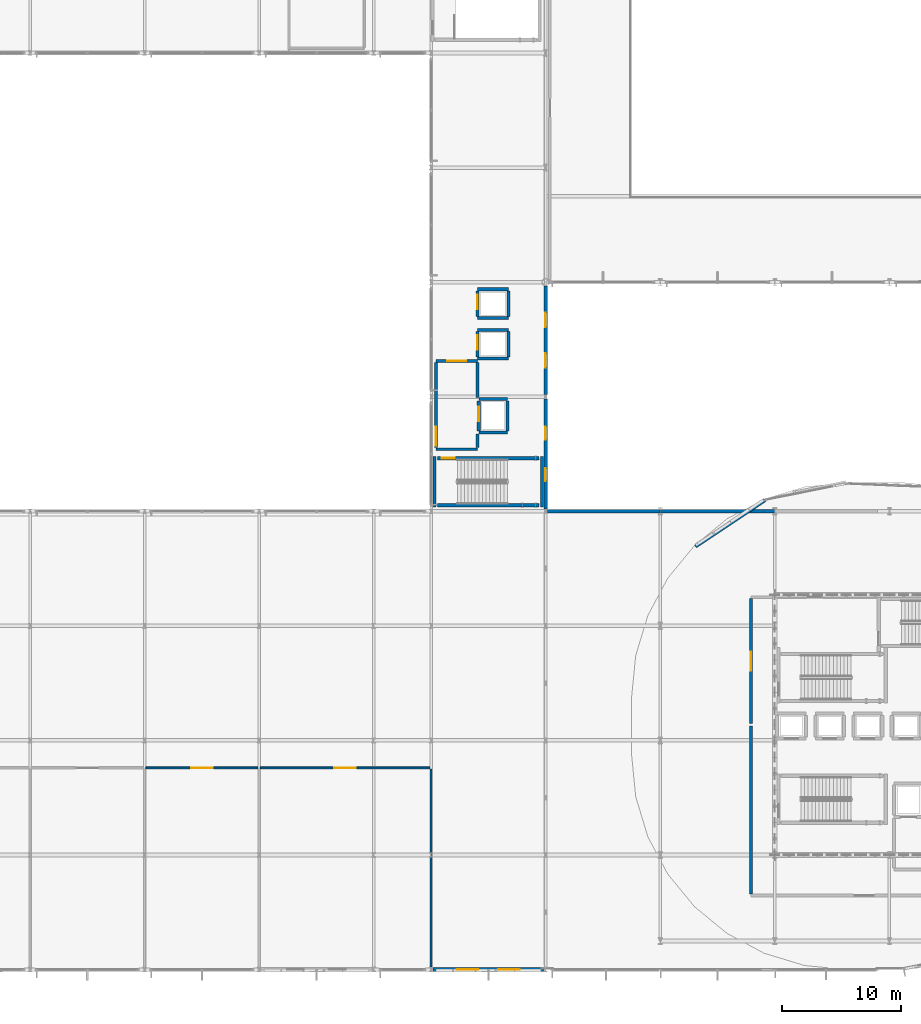
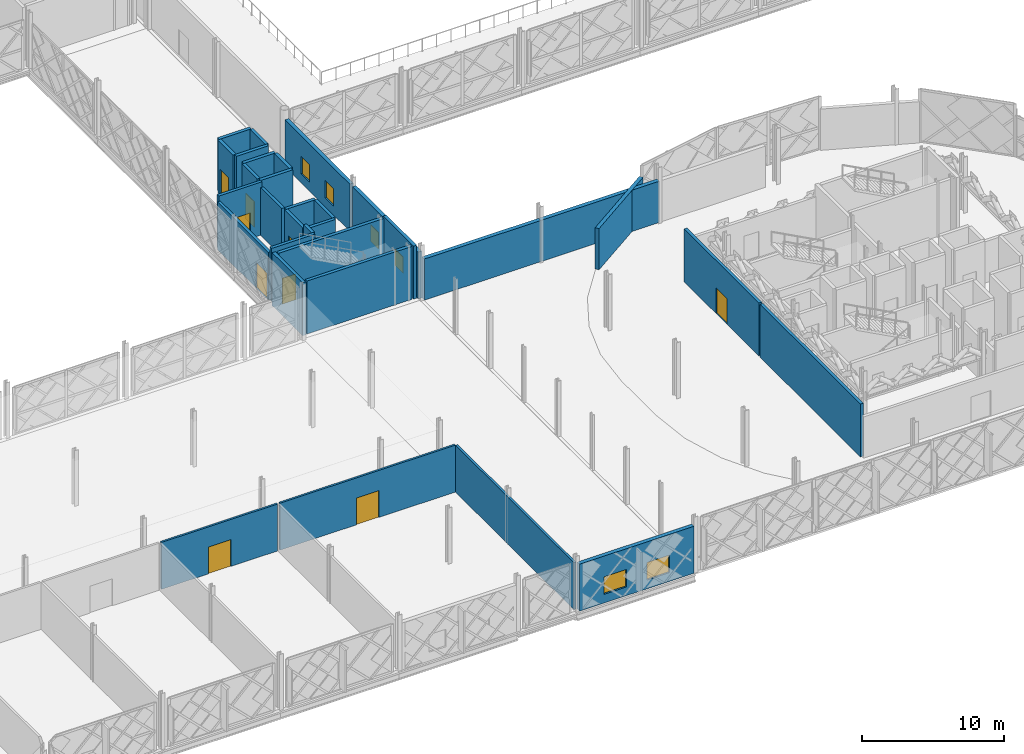
# One storey, part 49 of 77: 32 walls, 9 doors, 6 windows, 15 openings.
"""IFC4 building model written with IfcOpenShell, lengths in metres."""

import ifcopenshell
import ifcopenshell.guid

model = None  # the IFC model being written
_history = None  # IfcOwnerHistory: only IFC2X3 demands one
_inside = {}  # id of a spatial element -> (the spatial element, [elements in it])
_under = {}  # id of a project, library or spatial element -> (it, [spatial elements below it])
_declared = {}  # id of a project -> (the project, [libraries it declares])
_typed = {}  # id of a type object -> (the type object, [elements of that type])
_made_of = {}  # id of a material, layer set ... -> (it, [elements and type objects made of it])


def new_model(schema):
    """Start an empty IFC model of exactly this schema.

    Asked for "IFC4X3", IfcOpenShell would pick the latest addendum, in which some entities
    have other attributes; the version numbers below select the first issue.
    IFC2X3 requires an IfcOwnerHistory on every rooted entity: one is made here for all.
    """
    global model, _history
    if schema == "IFC4X3":
        model = ifcopenshell.file(schema_version=(4, 3, 0, 0))
    else:
        model = ifcopenshell.file(schema=schema)
    _inside.clear()
    _under.clear()
    _declared.clear()
    _typed.clear()
    _made_of.clear()
    _history = None
    if model.schema == "IFC2X3":
        org = make("IfcOrganization", Name="unknown")
        user = make(
            "IfcPersonAndOrganization",
            ThePerson=make("IfcPerson", FamilyName="unknown"),
            TheOrganization=org,
        )
        app = make(
            "IfcApplication",
            ApplicationDeveloper=org,
            Version="unknown",
            ApplicationFullName="unknown",
            ApplicationIdentifier="unknown",
        )
        _history = make(
            "IfcOwnerHistory",
            OwningUser=user,
            OwningApplication=app,
            ChangeAction="ADDED",
            CreationDate=0,
        )
    return model


def make(cls, **values):
    """One entity of the class cls with the attributes given. An attribute that is None is left unset."""
    return model.create_entity(
        cls, **{name: value for name, value in values.items() if value is not None}
    )


def rooted(cls, **values):
    """An entity with a GlobalId (a new one), such as an element, a storey or a relation."""
    return make(cls, GlobalId=ifcopenshell.guid.new(), OwnerHistory=_history, **values)


def si_unit(unit_type, name, prefix=None):
    """IfcSIUnit, for example si_unit("LENGTHUNIT", "METRE", prefix="MILLI")."""
    return make("IfcSIUnit", UnitType=unit_type, Prefix=prefix, Name=name)


def assignment(units):
    """IfcUnitAssignment: the units of a project."""
    return None if units is None else make("IfcUnitAssignment", Units=units)


def point(xyz):
    """IfcCartesianPoint."""
    return None if xyz is None else make("IfcCartesianPoint", Coordinates=xyz)


def direction(xyz):
    """IfcDirection."""
    return None if xyz is None else make("IfcDirection", DirectionRatios=xyz)


def frame(location, z_axis=None, x_axis=None):
    """IfcAxis2Placement3D, a coordinate frame: its origin and axes. An axis left out is left unset."""
    return make(
        "IfcAxis2Placement3D",
        Location=point(location),
        Axis=direction(z_axis),
        RefDirection=direction(x_axis),
    )


def frame_2d(location, x_axis=None):
    """IfcAxis2Placement2D, a coordinate frame in the plane: its origin and x axis."""
    return make(
        "IfcAxis2Placement2D", Location=point(location), RefDirection=direction(x_axis)
    )


def origin():
    """The frame at (0, 0, 0) with its axes left unset."""
    return frame((0.0, 0.0, 0.0))


def place(relative_to, where):
    """IfcLocalPlacement: puts the frame where relative to a parent placement (None: the world)."""
    return make(
        "IfcLocalPlacement", PlacementRelTo=relative_to, RelativePlacement=where
    )


def context(
    kind, dimensions, precision=None, world=None, true_north=None, identifier=None
):
    """IfcGeometricRepresentationContext, for example the 3D "Model" context."""
    return make(
        "IfcGeometricRepresentationContext",
        ContextIdentifier=identifier,
        ContextType=kind,
        CoordinateSpaceDimension=dimensions,
        Precision=precision,
        WorldCoordinateSystem=world,
        TrueNorth=true_north,
    )


def subcontext(parent, identifier, kind, view, scale=None):
    """IfcGeometricRepresentationSubContext, for example "Body" below "Model"."""
    return make(
        "IfcGeometricRepresentationSubContext",
        ContextIdentifier=identifier,
        ContextType=kind,
        ParentContext=parent,
        TargetScale=scale,
        TargetView=view,
    )


def project(units=None, contexts=None):
    """IfcProject with its units and contexts."""
    return rooted(
        "IfcProject",
        Name="project",
        RepresentationContexts=contexts,
        UnitsInContext=assignment(units),
    )


def spatial(cls, under=None, at=None, **own):
    """A site, building, storey or space (cls), placed at a placement, below another one or the project."""
    s = rooted(cls, ObjectPlacement=at, **own)
    if under is not None:
        _under.setdefault(under.id(), (under, []))[1].append(s)
    return s


def profile(cls, at=None, kind="AREA", **sizes):
    """A parametric profile (cls). Its sizes go by their IFC names, for example OverallWidth=200.0."""
    return make(cls, ProfileType=kind, Position=at, **sizes)


def rectangle(**sizes):
    """IfcRectangleProfileDef."""
    return profile("IfcRectangleProfileDef", **sizes)


def extrude(swept, where, along, depth):
    """IfcExtrudedAreaSolid: the profile swept, set in the frame where, extruded along a direction by depth."""
    return make(
        "IfcExtrudedAreaSolid",
        SweptArea=swept,
        Position=where,
        ExtrudedDirection=direction(along),
        Depth=depth,
    )


def shape(context_of_items, identifier, shape_type, items):
    """IfcShapeRepresentation: the items that make up one representation, for example the "Body"."""
    return make(
        "IfcShapeRepresentation",
        ContextOfItems=context_of_items,
        RepresentationIdentifier=identifier,
        RepresentationType=shape_type,
        Items=items,
    )


def material(Name=None, Category=None):
    """IfcMaterial."""
    return make("IfcMaterial", Name=Name, Category=Category)


def layer(
    of_material, thickness, ventilated=None, Name=None, Category=None, Priority=None
):
    """IfcMaterialLayer: one layer of a wall or slab, of a material (None: an air gap)."""
    return make(
        "IfcMaterialLayer",
        Material=of_material,
        LayerThickness=thickness,
        IsVentilated=ventilated,
        Name=Name,
        Category=Category,
        Priority=Priority,
    )


def layer_set(layers, Name=None):
    """IfcMaterialLayerSet."""
    return make("IfcMaterialLayerSet", MaterialLayers=layers, LayerSetName=Name)


def made_of(thing, what):
    """Note that an element or type object is made of a material, layer set ...; save() writes the relation."""
    if what is not None:
        _made_of.setdefault(what.id(), (what, []))[1].append(thing)
    return thing


def type_object(cls, material=None, **own):
    """A type object (cls), such as IfcWallType, which elements share."""
    return made_of(rooted(cls, **own), material)


def element(
    cls,
    number,
    at=None,
    inside=None,
    cuts=None,
    type_object=None,
    material=None,
    context=None,
    identifier="Body",
    shape_type=None,
    held_by="IfcProductDefinitionShape",
    body=None,
    shapes=None,
    **own,
):
    """One element of the class cls, such as IfcWall. Its Tag is "e" and its number.

    at: its placement. inside: the storey or other place that contains it. cuts: it is an
    opening in that element (IfcRelVoidsElement). A single representation is given by context,
    identifier, shape_type and body (its items); several are given by shapes. held_by: the class
    of the entity that holds the representations. save() writes the other relations.
    """
    e = rooted(cls, Tag="e%d" % number, ObjectPlacement=at, **own)
    if body is not None:
        shapes = [shape(context, identifier, shape_type, body)]
    if shapes is not None:
        e.Representation = make(held_by, Representations=shapes)
    if inside is not None:
        _inside.setdefault(inside.id(), (inside, []))[1].append(e)
    if cuts is not None:
        rooted(
            "IfcRelVoidsElement", RelatingBuildingElement=cuts, RelatedOpeningElement=e
        )
    if type_object is not None:
        _typed.setdefault(type_object.id(), (type_object, []))[1].append(e)
    return made_of(e, material)


def fill(opening, filler):
    """IfcRelFillsElement: the door or window that sits in an opening."""
    return rooted(
        "IfcRelFillsElement",
        RelatingOpeningElement=opening,
        RelatedBuildingElement=filler,
    )


def aggregate(whole, parts):
    """IfcRelAggregates: a whole, such as a stair, and the parts it consists of."""
    return rooted("IfcRelAggregates", RelatingObject=whole, RelatedObjects=parts)


def save(model, path):
    """Write the relations noted so far, then the file.

    IfcRelAggregates (storeys below a building ...), IfcRelContainedInSpatialStructure (elements
    in a storey), IfcRelDefinesByType, IfcRelAssociatesMaterial and IfcRelDeclares: one each for
    every whole, place, type object, material and project.
    """
    for whole, parts in _under.values():
        aggregate(whole, parts)
    for where, things in _inside.values():
        rooted(
            "IfcRelContainedInSpatialStructure",
            RelatedElements=things,
            RelatingStructure=where,
        )
    for kind, things in _typed.values():
        rooted("IfcRelDefinesByType", RelatedObjects=things, RelatingType=kind)
    for what, things in _made_of.values():
        rooted("IfcRelAssociatesMaterial", RelatedObjects=things, RelatingMaterial=what)
    for by, libraries in _declared.values():
        rooted("IfcRelDeclares", RelatingContext=by, RelatedDefinitions=libraries)
    model.write(path)


model = new_model("IFC4")

# Units and contexts
model_context = context("Model", 3, precision=1e-05, world=origin(), true_north=direction((0.0, 1.0)))
body_context = subcontext(model_context, "Body", "Model", "MODEL_VIEW")
ifc_project = project(units=[si_unit("LENGTHUNIT", "METRE"), si_unit("AREAUNIT", "SQUARE_METRE"), si_unit("VOLUMEUNIT", "CUBIC_METRE"), si_unit("PLANEANGLEUNIT", "RADIAN"), si_unit("MASSUNIT", "GRAM", prefix="KILO")], contexts=[model_context])

# Site, building, storey
site_placement = place(None, origin())
site = spatial("IfcSite", under=ifc_project, at=site_placement, CompositionType="ELEMENT")
building_placement = place(site_placement, origin())
building = spatial("IfcBuilding", under=site, at=building_placement, Name="Zevrakil Square Congress Hotel", CompositionType="ELEMENT")
storey_placement = place(building_placement, frame((0.0, 0.0, 9.89990234375)))
storey = spatial("IfcBuildingStorey", under=building, at=storey_placement, Name="L03", CompositionType="ELEMENT", Elevation=9.89990234375)

# Wall
ifc_material_1 = material(Name="Concrete C35/45", Category="concrete")
ifc_layer_1 = layer(ifc_material_1, 0.239990234375)
ifc_layer_set_1 = layer_set([ifc_layer_1], Name="Concrete C35/45")
wall_type_1 = type_object("IfcWallType", Name="WAL-COMP-240", PredefinedType="SOLIDWALL", material=ifc_layer_set_1)
wall_1_placement = place(storey_placement, frame((134.800048828125, 13.52490234375, 0.0), z_axis=(0.0, 0.0, 1.0), x_axis=(0.0, 1.0, 0.0)))
element("IfcWall", 1, at=wall_1_placement, inside=storey, type_object=wall_type_1, Name="L03 interior partition PW-L03-0069", PredefinedType="SOLIDWALL", context=body_context, shape_type="SweptSolid", body=[
    extrude(rectangle(XDim=14.0751953125, YDim=0.239990234375, at=frame_2d((7.03759765625, 0.0))), origin(), (0.0, 0.0, 1.0), 4.5400390625),
])

# Wall, opening, door
wall_2_placement = place(storey_placement, frame((134.800048828125, 27.800048828125, 0.0), z_axis=(0.0, 0.0, 1.0), x_axis=(0.0, 1.0, 0.0)))
wall_2 = element("IfcWall", 2, at=wall_2_placement, inside=storey, type_object=wall_type_1, Name="L03 interior partition PW-L03-0070", PredefinedType="SOLIDWALL", context=body_context, shape_type="SweptSolid", body=[
    extrude(rectangle(XDim=10.474853515625, YDim=0.239990234375, at=frame_2d((5.2373046875, 0.0))), origin(), (0.0, 0.0, 1.0), 4.5400390625),
])
opening_1_placement = place(wall_2_placement, frame((4.4375, 0.0, 0.0)))
opening_1 = element("IfcOpeningElement", 3, at=opening_1_placement, cuts=wall_2, Name="Opening FD90-D", PredefinedType="OPENING", context=body_context, shape_type="SweptSolid", body=[
    extrude(rectangle(XDim=1.60009765625, YDim=2.199951171875, at=frame_2d((0.800048828125, 1.10009765625))), frame((0.0, 0.1298828125, 0.0), z_axis=(0.0, -1.0, 0.0), x_axis=(1.0, 0.0, 0.0)), (0.0, 0.0, 1.0), 0.260009765625),
])
ifc_material_2 = material(Name="Steel S355 Double Fire Door", Category="steel")
door_type_1 = type_object("IfcDoorType", Name="DOR-FFLOB-FD90-160", OperationType="NOTDEFINED", PredefinedType="DOOR", material=ifc_material_2)
door_1_placement = place(opening_1_placement, origin())
door_1 = element("IfcDoor", 4, at=door_1_placement, inside=storey, type_object=door_type_1, Name="L03 interior door 24", OperationType="DOUBLE_DOOR_SINGLE_SWING", OverallHeight=2.199951171875, OverallWidth=1.60009765625, PredefinedType="DOOR", context=body_context, shape_type="SweptSolid", body=[
    extrude(rectangle(XDim=1.60009765625, YDim=2.199951171875, at=frame_2d((0.800048828125, 1.10009765625))), frame((0.0, 0.02490234375, 0.0), z_axis=(0.0, -1.0, 0.0), x_axis=(1.0, 0.0, 0.0)), (0.0, 0.0, 1.0), 0.050048828125),
])
fill(opening_1, door_1)

# Wall
wall_3_placement = place(storey_placement, frame((108.39990234375, 50.800048828125, 0.0), z_axis=(0.0, 0.0, 1.0), x_axis=(1.0, 0.0, 0.0)))
element("IfcWall", 5, at=wall_3_placement, inside=storey, type_object=wall_type_1, Name="L03 interior partition PW-L03-0074", PredefinedType="SOLIDWALL", context=body_context, shape_type="SweptSolid", body=[
    extrude(rectangle(XDim=3.5, YDim=0.239990234375, at=frame_2d((1.75, 0.0))), origin(), (0.0, 0.0, 1.0), 4.5400390625),
])

# Wall, opening, door
wall_4_placement = place(storey_placement, frame((108.39990234375, 50.925048828125, 0.0), z_axis=(0.0, 0.0, 1.0), x_axis=(0.0, 1.0, 0.0)))
wall_4 = element("IfcWall", 6, at=wall_4_placement, inside=storey, type_object=wall_type_1, Name="L03 interior partition PW-L03-0075", PredefinedType="SOLIDWALL", context=body_context, shape_type="SweptSolid", body=[
    extrude(rectangle(XDim=7.14990234375, YDim=0.239990234375, at=frame_2d((3.574951171875, 0.0))), origin(), (0.0, 0.0, 1.0), 4.085205078125),
])
opening_2_placement = place(wall_4_placement, frame((0.159912109375, 0.0, 0.0)))
opening_2 = element("IfcOpeningElement", 7, at=opening_2_placement, cuts=wall_4, Name="Opening FD90-D", PredefinedType="OPENING", context=body_context, shape_type="SweptSolid", body=[
    extrude(rectangle(XDim=1.60009765625, YDim=2.199951171875, at=frame_2d((0.800048828125, 1.10009765625))), frame((0.0, 0.1298828125, 0.0), z_axis=(0.0, -1.0, 0.0), x_axis=(1.0, 0.0, 0.0)), (0.0, 0.0, 1.0), 0.260009765625),
])
door_2_placement = place(opening_2_placement, origin())
door_2 = element("IfcDoor", 8, at=door_2_placement, inside=storey, type_object=door_type_1, Name="L03 interior door 27", OperationType="DOUBLE_DOOR_SINGLE_SWING", OverallHeight=2.199951171875, OverallWidth=1.60009765625, PredefinedType="DOOR", context=body_context, shape_type="SweptSolid", body=[
    extrude(rectangle(XDim=1.60009765625, YDim=2.199951171875, at=frame_2d((0.800048828125, 1.10009765625))), frame((0.0, 0.02490234375, 0.0), z_axis=(0.0, -1.0, 0.0), x_axis=(1.0, 0.0, 0.0)), (0.0, 0.0, 1.0), 0.050048828125),
])
fill(opening_2, door_2)

wall_5_placement = place(storey_placement, frame((108.39990234375, 58.199951171875, 0.0), z_axis=(0.0, 0.0, 1.0), x_axis=(1.0, 0.0, 0.0)))
wall_5 = element("IfcWall", 9, at=wall_5_placement, inside=storey, type_object=wall_type_1, Name="L03 interior partition PW-L03-0076", PredefinedType="SOLIDWALL", context=body_context, shape_type="SweptSolid", body=[
    extrude(rectangle(XDim=3.5, YDim=0.239990234375, at=frame_2d((1.75, 0.0))), origin(), (0.0, 0.0, 1.0), 4.5400390625),
])
opening_3_placement = place(wall_5_placement, frame((0.949951171875, 0.0, 0.0)))
opening_3 = element("IfcOpeningElement", 10, at=opening_3_placement, cuts=wall_5, Name="Opening FD90-D", PredefinedType="OPENING", context=body_context, shape_type="SweptSolid", body=[
    extrude(rectangle(XDim=1.60009765625, YDim=2.199951171875, at=frame_2d((0.800048828125, 1.10009765625))), frame((0.0, 0.1298828125, 0.0), z_axis=(0.0, -1.0, 0.0), x_axis=(1.0, 0.0, 0.0)), (0.0, 0.0, 1.0), 0.260009765625),
])
door_3_placement = place(opening_3_placement, origin())
door_3 = element("IfcDoor", 11, at=door_3_placement, inside=storey, type_object=door_type_1, Name="L03 interior door 28", OperationType="DOUBLE_DOOR_SINGLE_SWING", OverallHeight=2.199951171875, OverallWidth=1.60009765625, PredefinedType="DOOR", context=body_context, shape_type="SweptSolid", body=[
    extrude(rectangle(XDim=1.60009765625, YDim=2.199951171875, at=frame_2d((0.800048828125, 1.10009765625))), frame((0.0, 0.02490234375, 0.0), z_axis=(0.0, -1.0, 0.0), x_axis=(1.0, 0.0, 0.0)), (0.0, 0.0, 1.0), 0.050048828125),
])
fill(opening_3, door_3)

# Walls
wall_6_placement = place(storey_placement, frame((111.89990234375, 50.925048828125, 0.0), z_axis=(0.0, 0.0, 1.0), x_axis=(0.0, 1.0, 0.0)))
element("IfcWall", 12, at=wall_6_placement, inside=storey, type_object=wall_type_1, Name="L03 interior partition PW-L03-0077", PredefinedType="SOLIDWALL", context=body_context, shape_type="SweptSolid", body=[
    extrude(rectangle(XDim=1.155029296875, YDim=0.239990234375, at=frame_2d((0.57763671875, 0.0))), origin(), (0.0, 0.0, 1.0), 4.5400390625),
])
wall_7_placement = place(storey_placement, frame((111.89990234375, 55.1201171875, 0.0), z_axis=(0.0, 0.0, 1.0), x_axis=(0.0, 1.0, 0.0)))
element("IfcWall", 13, at=wall_7_placement, inside=storey, type_object=wall_type_1, Name="L03 interior partition PW-L03-0078", PredefinedType="SOLIDWALL", context=body_context, shape_type="SweptSolid", body=[
    extrude(rectangle(XDim=2.954833984375, YDim=0.239990234375, at=frame_2d((1.4775390625, 0.0))), origin(), (0.0, 0.0, 1.0), 4.085205078125),
])

# Wall, opening, door
ifc_material_3 = material(Name="Gypsum Acoustic Stud Partition")
ifc_layer_2 = layer(ifc_material_3, 0.159912109375)
ifc_layer_set_2 = layer_set([ifc_layer_2], Name="Gypsum Acoustic Stud Partition")
wall_type_2 = type_object("IfcWallType", Name="WAL-CORR-160", PredefinedType="PARTITIONING", material=ifc_layer_set_2)
wall_8_placement = place(storey_placement, frame((84.10009765625, 24.10009765625, 0.0), z_axis=(0.0, 0.0, 1.0), x_axis=(1.0, 0.0, 0.0)))
wall_8 = element("IfcWall", 14, at=wall_8_placement, inside=storey, type_object=wall_type_2, Name="L03 interior partition PW-L03-0219", PredefinedType="PARTITIONING", context=body_context, shape_type="SweptSolid", body=[
    extrude(rectangle(XDim=9.39990234375, YDim=0.159912109375, at=frame_2d((4.699951171875, 0.0))), origin(), (0.0, 0.0, 1.0), 4.025146484375),
])
opening_4_placement = place(wall_8_placement, frame((3.800048828125, 0.0, 0.0)))
opening_4 = element("IfcOpeningElement", 15, at=opening_4_placement, cuts=wall_8, Name="Opening ID-04", PredefinedType="OPENING", context=body_context, shape_type="SweptSolid", body=[
    extrude(rectangle(XDim=1.800048828125, YDim=2.300048828125, at=frame_2d((0.89990234375, 1.14990234375))), frame((0.0, 0.08984375, 0.0), z_axis=(0.0, -1.0, 0.0), x_axis=(1.0, 0.0, 0.0)), (0.0, 0.0, 1.0), 0.179931640625),
])
ifc_material_4 = material(Name="Diplomatic Boardroom Double Door")
door_type_2 = type_object("IfcDoorType", Name="DOR-MTG-180", OperationType="NOTDEFINED", PredefinedType="DOOR", material=ifc_material_4)
door_4_placement = place(opening_4_placement, origin())
door_4 = element("IfcDoor", 16, at=door_4_placement, inside=storey, type_object=door_type_2, Name="L03 interior door 93", OperationType="DOUBLE_DOOR_SINGLE_SWING", OverallHeight=2.300048828125, OverallWidth=1.800048828125, PredefinedType="DOOR", context=body_context, shape_type="SweptSolid", body=[
    extrude(rectangle(XDim=1.800048828125, YDim=2.300048828125, at=frame_2d((0.89990234375, 1.14990234375))), frame((0.0, 0.02490234375, 0.0), z_axis=(0.0, -1.0, 0.0), x_axis=(1.0, 0.0, 0.0)), (0.0, 0.0, 1.0), 0.050048828125),
])
fill(opening_4, door_4)

wall_9_placement = place(storey_placement, frame((93.699951171875, 24.10009765625, 0.0), z_axis=(0.0, 0.0, 1.0), x_axis=(1.0, 0.0, 0.0)))
wall_9 = element("IfcWall", 17, at=wall_9_placement, inside=storey, type_object=wall_type_2, Name="L03 interior partition PW-L03-0221", PredefinedType="PARTITIONING", context=body_context, shape_type="SweptSolid", body=[
    extrude(rectangle(XDim=14.199951171875, YDim=0.159912109375, at=frame_2d((7.10009765625, 0.0))), origin(), (0.0, 0.0, 1.0), 4.025146484375),
])
opening_5_placement = place(wall_9_placement, frame((6.199951171875, 0.0, 0.0)))
opening_5 = element("IfcOpeningElement", 18, at=opening_5_placement, cuts=wall_9, Name="Opening ID-04", PredefinedType="OPENING", context=body_context, shape_type="SweptSolid", body=[
    extrude(rectangle(XDim=1.800048828125, YDim=2.300048828125, at=frame_2d((0.89990234375, 1.14990234375))), frame((0.0, 0.08984375, 0.0), z_axis=(0.0, -1.0, 0.0), x_axis=(1.0, 0.0, 0.0)), (0.0, 0.0, 1.0), 0.179931640625),
])
door_5_placement = place(opening_5_placement, origin())
door_5 = element("IfcDoor", 19, at=door_5_placement, inside=storey, type_object=door_type_2, Name="L03 interior door 94", OperationType="DOUBLE_DOOR_SINGLE_SWING", OverallHeight=2.300048828125, OverallWidth=1.800048828125, PredefinedType="DOOR", context=body_context, shape_type="SweptSolid", body=[
    extrude(rectangle(XDim=1.800048828125, YDim=2.300048828125, at=frame_2d((0.89990234375, 1.14990234375))), frame((0.0, 0.02490234375, 0.0), z_axis=(0.0, -1.0, 0.0), x_axis=(1.0, 0.0, 0.0)), (0.0, 0.0, 1.0), 0.050048828125),
])
fill(opening_5, door_5)

# Wall, openings, windows
ifc_material_5 = material(Name="Precast concrete C40/50", Category="concrete")
ifc_layer_3 = layer(ifc_material_5, 0.300048828125)
ifc_layer_set_3 = layer_set([ifc_layer_3], Name="Precast concrete C40/50")
wall_type_3 = type_object("IfcWallType", Name="WAL-EXT-DRM-300", PredefinedType="SOLIDWALL", material=ifc_layer_set_3)
wall_10_placement = place(storey_placement, frame((117.60009765625, 45.783935546875, 0.0), z_axis=(0.0, 0.0, 1.0), x_axis=(0.0, 1.0, 0.0)))
wall_10 = element("IfcWall", 20, at=wall_10_placement, inside=storey, type_object=wall_type_3, Name="L03 exterior GRC wall EW-L03-0108", PredefinedType="SOLIDWALL", context=body_context, shape_type="SweptSolid", body=[
    extrude(rectangle(XDim=9.232177734375, YDim=0.300048828125, at=frame_2d((4.6162109375, 0.0))), origin(), (0.0, 0.0, 1.0), 4.025146484375),
])
opening_6_placement = place(wall_10_placement, frame((2.3330078125, 0.0, 0.75)))
opening_6 = element("IfcOpeningElement", 21, at=opening_6_placement, cuts=wall_10, Name="Opening WN-01", PredefinedType="OPENING", context=body_context, shape_type="SweptSolid", body=[
    extrude(rectangle(XDim=1.10009765625, YDim=1.39990234375, at=frame_2d((0.550048828125, 0.699951171875))), frame((0.0, 0.16015625, 0.0), z_axis=(0.0, -1.0, 0.0), x_axis=(1.0, 0.0, 0.0)), (0.0, 0.0, 1.0), 0.320068359375),
])
opening_7_placement = place(wall_10_placement, frame((5.799072265625, 0.0, 0.75)))
opening_7 = element("IfcOpeningElement", 22, at=opening_7_placement, cuts=wall_10, Name="Opening WN-01", PredefinedType="OPENING", context=body_context, shape_type="SweptSolid", body=[
    extrude(rectangle(XDim=1.10009765625, YDim=1.39990234375, at=frame_2d((0.550048828125, 0.699951171875))), frame((0.0, 0.16015625, 0.0), z_axis=(0.0, -1.0, 0.0), x_axis=(1.0, 0.0, 0.0)), (0.0, 0.0, 1.0), 0.320068359375),
])
ifc_material_6 = material(Name="Low-E Solar Control Double Glazing", Category="glass")
window_type_1 = type_object("IfcWindowType", Name="WIN-EXT-01", PartitioningType="SINGLE_PANEL", PredefinedType="WINDOW", material=ifc_material_6)
window_1_placement = place(opening_6_placement, origin())
window_1 = element("IfcWindow", 23, at=window_1_placement, inside=storey, type_object=window_type_1, Name="L03 low-E solar window 89", OverallHeight=1.39990234375, OverallWidth=1.10009765625, PartitioningType="SINGLE_PANEL", PredefinedType="WINDOW", context=body_context, shape_type="SweptSolid", body=[
    extrude(rectangle(XDim=1.10009765625, YDim=1.39990234375, at=frame_2d((0.550048828125, 0.699951171875))), frame((0.0, 0.030029296875, 0.0), z_axis=(0.0, -1.0, 0.0), x_axis=(1.0, 0.0, 0.0)), (0.0, 0.0, 1.0), 0.06005859375),
])
fill(opening_6, window_1)
window_2_placement = place(opening_7_placement, origin())
window_2 = element("IfcWindow", 24, at=window_2_placement, inside=storey, type_object=window_type_1, Name="L03 low-E solar window 90", OverallHeight=1.39990234375, OverallWidth=1.10009765625, PartitioningType="SINGLE_PANEL", PredefinedType="WINDOW", context=body_context, shape_type="SweptSolid", body=[
    extrude(rectangle(XDim=1.10009765625, YDim=1.39990234375, at=frame_2d((0.550048828125, 0.699951171875))), frame((0.0, 0.030029296875, 0.0), z_axis=(0.0, -1.0, 0.0), x_axis=(1.0, 0.0, 0.0)), (0.0, 0.0, 1.0), 0.06005859375),
])
fill(opening_7, window_2)

wall_11_placement = place(storey_placement, frame((117.60009765625, 55.384033203125, 0.0), z_axis=(0.0, 0.0, 1.0), x_axis=(0.0, 1.0, 0.0)))
wall_11 = element("IfcWall", 25, at=wall_11_placement, inside=storey, type_object=wall_type_3, Name="L03 exterior GRC wall EW-L03-0111", PredefinedType="SOLIDWALL", context=body_context, shape_type="SweptSolid", body=[
    extrude(rectangle(XDim=9.10693359375, YDim=0.300048828125, at=frame_2d((4.553466796875, 0.0))), origin(), (0.0, 0.0, 1.0), 4.025146484375),
])
opening_8_placement = place(wall_11_placement, frame((2.251708984375, 0.0, 0.75)))
opening_8 = element("IfcOpeningElement", 26, at=opening_8_placement, cuts=wall_11, Name="Opening WN-07", PredefinedType="OPENING", context=body_context, shape_type="SweptSolid", body=[
    extrude(rectangle(XDim=1.199951171875, YDim=1.5, at=frame_2d((0.60009765625, 0.75))), frame((0.0, 0.16015625, 0.0), z_axis=(0.0, -1.0, 0.0), x_axis=(1.0, 0.0, 0.0)), (0.0, 0.0, 1.0), 0.320068359375),
])
opening_9_placement = place(wall_11_placement, frame((5.6552734375, 0.0, 0.75)))
opening_9 = element("IfcOpeningElement", 27, at=opening_9_placement, cuts=wall_11, Name="Opening WN-07", PredefinedType="OPENING", context=body_context, shape_type="SweptSolid", body=[
    extrude(rectangle(XDim=1.199951171875, YDim=1.5, at=frame_2d((0.60009765625, 0.75))), frame((0.0, 0.16015625, 0.0), z_axis=(0.0, -1.0, 0.0), x_axis=(1.0, 0.0, 0.0)), (0.0, 0.0, 1.0), 0.320068359375),
])
ifc_material_7 = material(Name="Low-E Solar Control Double Glazing", Category="glass")
window_type_2 = type_object("IfcWindowType", Name="WIN-EXT-07", PartitioningType="SINGLE_PANEL", PredefinedType="WINDOW", material=ifc_material_7)
window_3_placement = place(opening_8_placement, origin())
window_3 = element("IfcWindow", 28, at=window_3_placement, inside=storey, type_object=window_type_2, Name="L03 low-E solar window 95", OverallHeight=1.5, OverallWidth=1.199951171875, PartitioningType="SINGLE_PANEL", PredefinedType="WINDOW", context=body_context, shape_type="SweptSolid", body=[
    extrude(rectangle(XDim=1.199951171875, YDim=1.5, at=frame_2d((0.60009765625, 0.75))), frame((0.0, 0.030029296875, 0.0), z_axis=(0.0, -1.0, 0.0), x_axis=(1.0, 0.0, 0.0)), (0.0, 0.0, 1.0), 0.06005859375),
])
fill(opening_8, window_3)
window_4_placement = place(opening_9_placement, origin())
window_4 = element("IfcWindow", 29, at=window_4_placement, inside=storey, type_object=window_type_2, Name="L03 low-E solar window 96", OverallHeight=1.5, OverallWidth=1.199951171875, PartitioningType="SINGLE_PANEL", PredefinedType="WINDOW", context=body_context, shape_type="SweptSolid", body=[
    extrude(rectangle(XDim=1.199951171875, YDim=1.5, at=frame_2d((0.60009765625, 0.75))), frame((0.0, 0.030029296875, 0.0), z_axis=(0.0, -1.0, 0.0), x_axis=(1.0, 0.0, 0.0)), (0.0, 0.0, 1.0), 0.06005859375),
])
fill(opening_9, window_4)

# Wall
wall_12_placement = place(storey_placement, frame((135.973876953125, 46.543212890625, 0.0), z_axis=(0.0, 0.0, 1.0), x_axis=(-0.831470805541, -0.555568447208, 0.0)))
element("IfcWall", 30, at=wall_12_placement, inside=storey, type_object=wall_type_3, Name="L03 exterior GRC wall EW-L03-0127", PredefinedType="SOLIDWALL", context=body_context, shape_type="SweptSolid", body=[
    extrude(rectangle(XDim=7.005615234375, YDim=0.300048828125, at=frame_2d((3.5029296875, 0.0))), origin(), (0.0, 0.0, 1.0), 3.53515625),
])

# Wall, openings, windows
ifc_material_8 = material(Name="Precast concrete C40/50", Category="concrete")
ifc_layer_4 = layer(ifc_material_8, 0.320068359375)
ifc_layer_set_4 = layer_set([ifc_layer_4], Name="Precast concrete C40/50")
wall_type_4 = type_object("IfcWallType", Name="WAL-EXT-GRC-320", PredefinedType="SOLIDWALL", material=ifc_layer_set_4)
wall_13_placement = place(storey_placement, frame((108.154052734375, 7.199951171875, 0.0), z_axis=(0.0, 0.0, 1.0), x_axis=(1.0, 0.0, 0.0)))
wall_13 = element("IfcWall", 31, at=wall_13_placement, inside=storey, type_object=wall_type_4, Name="L03 exterior GRC wall EW-L03-0020", PredefinedType="SOLIDWALL", context=body_context, shape_type="SweptSolid", body=[
    extrude(rectangle(XDim=9.2919921875, YDim=0.320068359375, at=frame_2d((4.64599609375, 0.0))), origin(), (0.0, 0.0, 1.0), 4.025146484375),
])
opening_10_placement = place(wall_13_placement, frame((1.998046875, 0.0, 0.75)))
opening_10 = element("IfcOpeningElement", 32, at=opening_10_placement, cuts=wall_13, Name="Opening WN-10", PredefinedType="OPENING", context=body_context, shape_type="SweptSolid", body=[
    extrude(rectangle(XDim=1.800048828125, YDim=1.5, at=frame_2d((0.89990234375, 0.75))), frame((0.0, 0.169921875, 0.0), z_axis=(0.0, -1.0, 0.0), x_axis=(1.0, 0.0, 0.0)), (0.0, 0.0, 1.0), 0.340087890625),
])
opening_11_placement = place(wall_13_placement, frame((5.493896484375, 0.0, 0.75)))
opening_11 = element("IfcOpeningElement", 33, at=opening_11_placement, cuts=wall_13, Name="Opening WN-10", PredefinedType="OPENING", context=body_context, shape_type="SweptSolid", body=[
    extrude(rectangle(XDim=1.800048828125, YDim=1.5, at=frame_2d((0.89990234375, 0.75))), frame((0.0, 0.169921875, 0.0), z_axis=(0.0, -1.0, 0.0), x_axis=(1.0, 0.0, 0.0)), (0.0, 0.0, 1.0), 0.340087890625),
])
ifc_material_9 = material(Name="Low-E Solar Control Double Glazing", Category="glass")
window_type_3 = type_object("IfcWindowType", Name="WIN-EXT-10", PartitioningType="SINGLE_PANEL", PredefinedType="WINDOW", material=ifc_material_9)
window_5_placement = place(opening_10_placement, origin())
window_5 = element("IfcWindow", 34, at=window_5_placement, inside=storey, type_object=window_type_3, Name="L03 low-E solar window 10", OverallHeight=1.5, OverallWidth=1.800048828125, PartitioningType="SINGLE_PANEL", PredefinedType="WINDOW", context=body_context, shape_type="SweptSolid", body=[
    extrude(rectangle(XDim=1.800048828125, YDim=1.5, at=frame_2d((0.89990234375, 0.75))), frame((0.0, 0.030029296875, 0.0), z_axis=(0.0, -1.0, 0.0), x_axis=(1.0, 0.0, 0.0)), (0.0, 0.0, 1.0), 0.06005859375),
])
fill(opening_10, window_5)
window_6_placement = place(opening_11_placement, origin())
window_6 = element("IfcWindow", 35, at=window_6_placement, inside=storey, type_object=window_type_3, Name="L03 low-E solar window 11", OverallHeight=1.5, OverallWidth=1.800048828125, PartitioningType="SINGLE_PANEL", PredefinedType="WINDOW", context=body_context, shape_type="SweptSolid", body=[
    extrude(rectangle(XDim=1.800048828125, YDim=1.5, at=frame_2d((0.89990234375, 0.75))), frame((0.0, 0.030029296875, 0.0), z_axis=(0.0, -1.0, 0.0), x_axis=(1.0, 0.0, 0.0)), (0.0, 0.0, 1.0), 0.06005859375),
])
fill(opening_11, window_6)

# Walls
wall_14_placement = place(storey_placement, frame((117.75390625, 45.60009765625, 0.0), z_axis=(0.0, 0.0, 1.0), x_axis=(1.0, 0.0, 0.0)))
element("IfcWall", 36, at=wall_14_placement, inside=storey, type_object=wall_type_4, Name="L03 exterior GRC wall EW-L03-0095", PredefinedType="SOLIDWALL", context=body_context, shape_type="SweptSolid", body=[
    extrude(rectangle(XDim=9.443115234375, YDim=0.320068359375, at=frame_2d((4.7216796875, 0.0))), origin(), (0.0, 0.0, 1.0), 3.53515625),
])
wall_15_placement = place(storey_placement, frame((127.202880859375, 45.60009765625, 0.0), z_axis=(0.0, 0.0, 1.0), x_axis=(1.0, 0.0, 0.0)))
element("IfcWall", 37, at=wall_15_placement, inside=storey, type_object=wall_type_4, Name="L03 exterior GRC wall EW-L03-0098", PredefinedType="SOLIDWALL", context=body_context, shape_type="SweptSolid", body=[
    extrude(rectangle(XDim=9.59423828125, YDim=0.320068359375, at=frame_2d((4.797119140625, 0.0))), origin(), (0.0, 0.0, 1.0), 3.53515625),
])
ifc_material_10 = material(Name="Gypsum Twin-Stud Party Partition")
ifc_layer_5 = layer(ifc_material_10, 0.179931640625)
ifc_layer_set_5 = layer_set([ifc_layer_5], Name="Gypsum Twin-Stud Party Partition")
wall_type_5 = type_object("IfcWallType", Name="WAL-PARTY-180", PredefinedType="PARTITIONING", material=ifc_layer_set_5)
wall_16_placement = place(storey_placement, frame((108.0, 7.39990234375, 0.0), z_axis=(0.0, 0.0, 1.0), x_axis=(0.0, 1.0, 0.0)))
element("IfcWall", 38, at=wall_16_placement, inside=storey, type_object=wall_type_5, Name="L03 interior partition PW-L03-0223", PredefinedType="PARTITIONING", context=body_context, shape_type="SweptSolid", body=[
    extrude(rectangle(XDim=16.610107421875, YDim=0.179931640625, at=frame_2d((8.30517578125, 0.0))), origin(), (0.0, 0.0, 1.0), 4.025146484375),
])
ifc_material_11 = material(Name="Concrete C40/50", Category="concrete")
ifc_layer_6 = layer(ifc_material_11, 0.260009765625)
ifc_layer_set_6 = layer_set([ifc_layer_6], Name="Concrete C40/50")
wall_type_6 = type_object("IfcWallType", Name="WAL-SHAFT-260", PredefinedType="SHEAR", material=ifc_layer_set_6)
for number, where, z_axis, x_axis, name in (
    (39, (108.304931640625, 45.93994140625, 0.0), (0.0, 0.0, 1.0), (0.0, 1.0, 0.0), "L03 ST07 stair shaft W wall"),
    (40, (117.294921875, 45.93994140625, 0.0), (0.0, 0.0, 1.0), (0.0, 1.0, 0.0), "L03 ST07 stair shaft E wall"),
):
    element("IfcWall", number, at=place(storey_placement, frame(where, z_axis=z_axis, x_axis=x_axis)), inside=storey, type_object=wall_type_6, Name=name, PredefinedType="SHEAR", context=body_context, shape_type="SweptSolid", body=[
        extrude(rectangle(XDim=4.27001953125, YDim=0.260009765625, at=frame_2d((2.135009765625, 0.0))), origin(), (0.0, 0.0, 1.0), 4.5400390625),
    ])
wall_17_placement = place(storey_placement, frame((108.5400390625, 46.10498046875, 0.0), z_axis=(0.0, 0.0, 1.0), x_axis=(1.0, 0.0, 0.0)))
element("IfcWall", 41, at=wall_17_placement, inside=storey, type_object=wall_type_6, Name="L03 ST07 stair shaft S wall", PredefinedType="SHEAR", context=body_context, shape_type="SweptSolid", body=[
    extrude(rectangle(XDim=8.52001953125, YDim=0.260009765625, at=frame_2d((4.260009765625, 0.0))), origin(), (0.0, 0.0, 1.0), 4.5400390625),
])

# Wall, opening, door
wall_18_placement = place(storey_placement, frame((108.5400390625, 50.044921875, 0.0), z_axis=(0.0, 0.0, 1.0), x_axis=(1.0, 0.0, 0.0)))
wall_18 = element("IfcWall", 42, at=wall_18_placement, inside=storey, type_object=wall_type_6, Name="L03 ST07 stair shaft N wall", PredefinedType="SHEAR", context=body_context, shape_type="SweptSolid", body=[
    extrude(rectangle(XDim=8.52001953125, YDim=0.260009765625, at=frame_2d((4.260009765625, 0.0))), origin(), (0.0, 0.0, 1.0), 4.5400390625),
])
opening_12_placement = place(wall_18_placement, frame((0.35009765625, 0.0, 0.0)))
opening_12 = element("IfcOpeningElement", 43, at=opening_12_placement, cuts=wall_18, Name="Opening SD-ST07", PredefinedType="OPENING", context=body_context, shape_type="SweptSolid", body=[
    extrude(rectangle(XDim=1.10009765625, YDim=2.199951171875, at=frame_2d((0.550048828125, 1.10009765625))), frame((0.0, 0.14013671875, 0.0), z_axis=(0.0, -1.0, 0.0), x_axis=(1.0, 0.0, 0.0)), (0.0, 0.0, 1.0), 0.280029296875),
])
ifc_material_12 = material(Name="Steel S355 Fire-Rated Door", Category="steel")
door_type_3 = type_object("IfcDoorType", Name="DOR-STAIR-FD90-110", OperationType="NOTDEFINED", PredefinedType="DOOR", material=ifc_material_12)
door_6_placement = place(opening_12_placement, origin())
door_6 = element("IfcDoor", 44, at=door_6_placement, inside=storey, type_object=door_type_3, Name="L03 ST07 protected stair fire door", OperationType="SINGLE_SWING_RIGHT", OverallHeight=2.199951171875, OverallWidth=1.10009765625, PredefinedType="DOOR", context=body_context, shape_type="SweptSolid", body=[
    extrude(rectangle(XDim=1.10009765625, YDim=2.199951171875, at=frame_2d((0.550048828125, 1.10009765625))), frame((0.0, 0.02490234375, 0.0), z_axis=(0.0, -1.0, 0.0), x_axis=(1.0, 0.0, 0.0)), (0.0, 0.0, 1.0), 0.050048828125),
])
fill(opening_12, door_6)

# Walls
for number, where, z_axis, x_axis, name in (
    (45, (112.0, 52.199951171875, 0.0), (0.0, 0.0, 1.0), (1.0, 0.0, 0.0), "L03 FFL2 lift shaft wall"),
    (46, (112.0, 55.0, 0.0), (0.0, 0.0, 1.0), (1.0, 0.0, 0.0), "L03 FFL2 lift shaft wall"),
):
    element("IfcWall", number, at=place(storey_placement, frame(where, z_axis=z_axis, x_axis=x_axis)), inside=storey, type_object=wall_type_6, Name=name, PredefinedType="SHEAR", context=body_context, shape_type="SweptSolid", body=[
        extrude(rectangle(XDim=2.39990234375, YDim=0.260009765625, at=frame_2d((1.199951171875, 0.0))), origin(), (0.0, 0.0, 1.0), 4.085205078125),
    ])

# Wall, opening, door
wall_19_placement = place(storey_placement, frame((112.0, 52.340087890625, 0.0), z_axis=(0.0, 0.0, 1.0), x_axis=(0.0, 1.0, 0.0)))
wall_19 = element("IfcWall", 47, at=wall_19_placement, inside=storey, type_object=wall_type_6, Name="L03 FFL2 lift shaft wall", PredefinedType="SHEAR", context=body_context, shape_type="SweptSolid", body=[
    extrude(rectangle(XDim=2.52001953125, YDim=0.260009765625, at=frame_2d((1.260009765625, 0.0))), origin(), (0.0, 0.0, 1.0), 4.085205078125),
])
opening_13_placement = place(wall_19_placement, frame((0.800048828125, 0.0, 0.0)))
opening_13 = element("IfcOpeningElement", 48, at=opening_13_placement, cuts=wall_19, Name="Opening LD-FFL2", PredefinedType="OPENING", context=body_context, shape_type="SweptSolid", body=[
    extrude(rectangle(XDim=1.199951171875, YDim=2.199951171875, at=frame_2d((0.60009765625, 1.10009765625))), frame((0.0, 0.14013671875, 0.0), z_axis=(0.0, -1.0, 0.0), x_axis=(1.0, 0.0, 0.0)), (0.0, 0.0, 1.0), 0.280029296875),
])
ifc_material_13 = material(Name="Stainless Steel Sliding Lift Landing Door", Category="steel")
door_type_4 = type_object("IfcDoorType", Name="DOR-LIFT-LD120", OperationType="NOTDEFINED", PredefinedType="DOOR", material=ifc_material_13)
door_7_placement = place(opening_13_placement, origin())
door_7 = element("IfcDoor", 49, at=door_7_placement, inside=storey, type_object=door_type_4, Name="L03 FFL2 sliding lift landing door", OperationType="SLIDING_TO_LEFT", OverallHeight=2.199951171875, OverallWidth=1.199951171875, PredefinedType="DOOR", context=body_context, shape_type="SweptSolid", body=[
    extrude(rectangle(XDim=1.199951171875, YDim=2.199951171875, at=frame_2d((0.60009765625, 1.10009765625))), frame((0.0, 0.02490234375, 0.0), z_axis=(0.0, -1.0, 0.0), x_axis=(1.0, 0.0, 0.0)), (0.0, 0.0, 1.0), 0.050048828125),
])
fill(opening_13, door_7)

# Walls
wall_20_placement = place(storey_placement, frame((114.39990234375, 52.340087890625, 0.0), z_axis=(0.0, 0.0, 1.0), x_axis=(0.0, 1.0, 0.0)))
element("IfcWall", 50, at=wall_20_placement, inside=storey, type_object=wall_type_6, Name="L03 FFL2 lift shaft wall", PredefinedType="SHEAR", context=body_context, shape_type="SweptSolid", body=[
    extrude(rectangle(XDim=2.52001953125, YDim=0.260009765625, at=frame_2d((1.260009765625, 0.0))), origin(), (0.0, 0.0, 1.0), 4.085205078125),
])
for number, where, z_axis, x_axis, name in (
    (51, (111.89990234375, 58.39990234375, 0.0), (0.0, 0.0, 1.0), (1.0, 0.0, 0.0), "L03 CL1 lift shaft wall"),
    (52, (111.89990234375, 60.800048828125, 0.0), (0.0, 0.0, 1.0), (1.0, 0.0, 0.0), "L03 CL1 lift shaft wall"),
):
    element("IfcWall", number, at=place(storey_placement, frame(where, z_axis=z_axis, x_axis=x_axis)), inside=storey, type_object=wall_type_6, Name=name, PredefinedType="SHEAR", context=body_context, shape_type="SweptSolid", body=[
        extrude(rectangle(XDim=2.60009765625, YDim=0.260009765625, at=frame_2d((1.300048828125, 0.0))), origin(), (0.0, 0.0, 1.0), 4.5400390625),
    ])

# Wall, opening, door
wall_21_placement = place(storey_placement, frame((111.89990234375, 58.5400390625, 0.0), z_axis=(0.0, 0.0, 1.0), x_axis=(0.0, 1.0, 0.0)))
wall_21 = element("IfcWall", 53, at=wall_21_placement, inside=storey, type_object=wall_type_6, Name="L03 CL1 lift shaft wall", PredefinedType="SHEAR", context=body_context, shape_type="SweptSolid", body=[
    extrude(rectangle(XDim=2.119873046875, YDim=0.260009765625, at=frame_2d((1.06005859375, 0.0))), origin(), (0.0, 0.0, 1.0), 4.5400390625),
])
opening_14_placement = place(wall_21_placement, frame((0.60009765625, 0.0, 0.0)))
opening_14 = element("IfcOpeningElement", 54, at=opening_14_placement, cuts=wall_21, Name="Opening LD-CL1", PredefinedType="OPENING", context=body_context, shape_type="SweptSolid", body=[
    extrude(rectangle(XDim=1.199951171875, YDim=2.199951171875, at=frame_2d((0.60009765625, 1.10009765625))), frame((0.0, 0.14013671875, 0.0), z_axis=(0.0, -1.0, 0.0), x_axis=(1.0, 0.0, 0.0)), (0.0, 0.0, 1.0), 0.280029296875),
])
door_8_placement = place(opening_14_placement, origin())
door_8 = element("IfcDoor", 55, at=door_8_placement, inside=storey, type_object=door_type_4, Name="L03 CL1 sliding lift landing door", OperationType="SLIDING_TO_RIGHT", OverallHeight=2.199951171875, OverallWidth=1.199951171875, PredefinedType="DOOR", context=body_context, shape_type="SweptSolid", body=[
    extrude(rectangle(XDim=1.199951171875, YDim=2.199951171875, at=frame_2d((0.60009765625, 1.10009765625))), frame((0.0, 0.02490234375, 0.0), z_axis=(0.0, -1.0, 0.0), x_axis=(1.0, 0.0, 0.0)), (0.0, 0.0, 1.0), 0.050048828125),
])
fill(opening_14, door_8)

# Walls
wall_22_placement = place(storey_placement, frame((114.5, 58.5400390625, 0.0), z_axis=(0.0, 0.0, 1.0), x_axis=(0.0, 1.0, 0.0)))
element("IfcWall", 56, at=wall_22_placement, inside=storey, type_object=wall_type_6, Name="L03 CL1 lift shaft wall", PredefinedType="SHEAR", context=body_context, shape_type="SweptSolid", body=[
    extrude(rectangle(XDim=2.119873046875, YDim=0.260009765625, at=frame_2d((1.06005859375, 0.0))), origin(), (0.0, 0.0, 1.0), 4.5400390625),
])
for number, where, z_axis, x_axis, name in (
    (57, (111.89990234375, 61.800048828125, 0.0), (0.0, 0.0, 1.0), (1.0, 0.0, 0.0), "L03 CL2 lift shaft wall"),
    (58, (111.89990234375, 64.199951171875, 0.0), (0.0, 0.0, 1.0), (1.0, 0.0, 0.0), "L03 CL2 lift shaft wall"),
):
    element("IfcWall", number, at=place(storey_placement, frame(where, z_axis=z_axis, x_axis=x_axis)), inside=storey, type_object=wall_type_6, Name=name, PredefinedType="SHEAR", context=body_context, shape_type="SweptSolid", body=[
        extrude(rectangle(XDim=2.60009765625, YDim=0.260009765625, at=frame_2d((1.300048828125, 0.0))), origin(), (0.0, 0.0, 1.0), 4.5400390625),
    ])

# Wall, opening, door
wall_23_placement = place(storey_placement, frame((111.89990234375, 61.93994140625, 0.0), z_axis=(0.0, 0.0, 1.0), x_axis=(0.0, 1.0, 0.0)))
wall_23 = element("IfcWall", 59, at=wall_23_placement, inside=storey, type_object=wall_type_6, Name="L03 CL2 lift shaft wall", PredefinedType="SHEAR", context=body_context, shape_type="SweptSolid", body=[
    extrude(rectangle(XDim=2.1201171875, YDim=0.260009765625, at=frame_2d((1.06005859375, 0.0))), origin(), (0.0, 0.0, 1.0), 4.5400390625),
])
opening_15_placement = place(wall_23_placement, frame((0.60009765625, 0.0, 0.0)))
opening_15 = element("IfcOpeningElement", 60, at=opening_15_placement, cuts=wall_23, Name="Opening LD-CL2", PredefinedType="OPENING", context=body_context, shape_type="SweptSolid", body=[
    extrude(rectangle(XDim=1.199951171875, YDim=2.199951171875, at=frame_2d((0.60009765625, 1.10009765625))), frame((0.0, 0.14013671875, 0.0), z_axis=(0.0, -1.0, 0.0), x_axis=(1.0, 0.0, 0.0)), (0.0, 0.0, 1.0), 0.280029296875),
])
door_9_placement = place(opening_15_placement, origin())
door_9 = element("IfcDoor", 61, at=door_9_placement, inside=storey, type_object=door_type_4, Name="L03 CL2 sliding lift landing door", OperationType="SLIDING_TO_LEFT", OverallHeight=2.199951171875, OverallWidth=1.199951171875, PredefinedType="DOOR", context=body_context, shape_type="SweptSolid", body=[
    extrude(rectangle(XDim=1.199951171875, YDim=2.199951171875, at=frame_2d((0.60009765625, 1.10009765625))), frame((0.0, 0.02490234375, 0.0), z_axis=(0.0, -1.0, 0.0), x_axis=(1.0, 0.0, 0.0)), (0.0, 0.0, 1.0), 0.050048828125),
])
fill(opening_15, door_9)

# Wall
wall_24_placement = place(storey_placement, frame((114.5, 61.93994140625, 0.0), z_axis=(0.0, 0.0, 1.0), x_axis=(0.0, 1.0, 0.0)))
element("IfcWall", 62, at=wall_24_placement, inside=storey, type_object=wall_type_6, Name="L03 CL2 lift shaft wall", PredefinedType="SHEAR", context=body_context, shape_type="SweptSolid", body=[
    extrude(rectangle(XDim=2.1201171875, YDim=0.260009765625, at=frame_2d((1.06005859375, 0.0))), origin(), (0.0, 0.0, 1.0), 4.5400390625),
])

save(model, "model.ifc")
